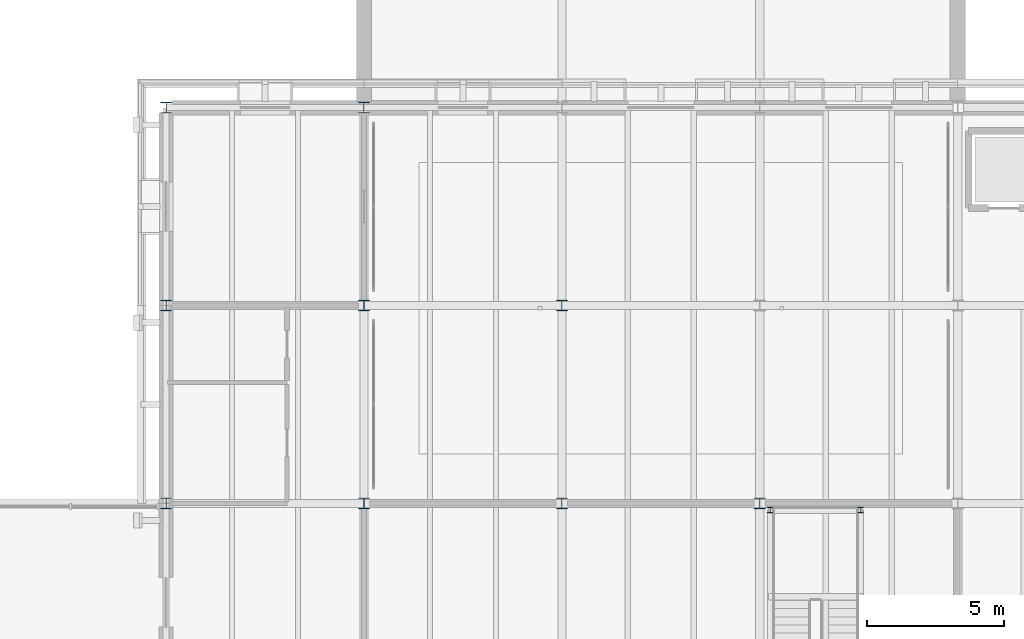
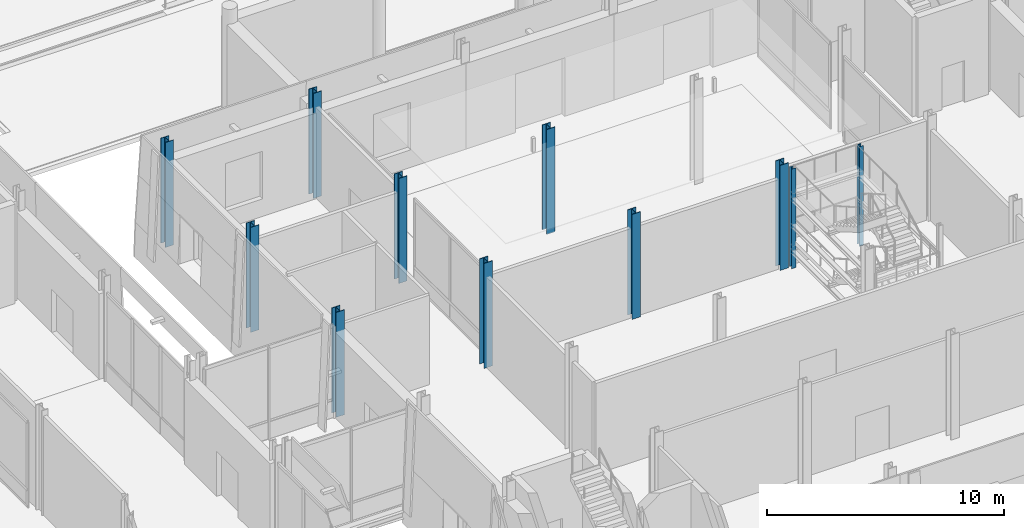
# One storey, part 13 of 120: 11 columns.
"""IFC4 building model written with IfcOpenShell, lengths in metres."""

from ifc_helpers import new_model, si_unit, direction, frame, origin, origin_2d, place, context, subcontext, project, spatial, i_section, extrude, material, material_profile, profile_set, type_object, element, save


model = new_model("IFC4")

# Units and contexts
model_context = context("Model", 3, precision=1e-05, world=origin(), true_north=direction((0.0, 1.0)))
body_context = subcontext(model_context, "Body", "Model", "MODEL_VIEW")
ifc_project = project(units=[si_unit("LENGTHUNIT", "METRE"), si_unit("AREAUNIT", "SQUARE_METRE"), si_unit("VOLUMEUNIT", "CUBIC_METRE"), si_unit("PLANEANGLEUNIT", "RADIAN"), si_unit("MASSUNIT", "GRAM", prefix="KILO")], contexts=[model_context])

# Site, building, storey
site_placement = place(None, origin())
site = spatial("IfcSite", under=ifc_project, at=site_placement, CompositionType="ELEMENT")
building_placement = place(site_placement, origin())
building = spatial("IfcBuilding", under=site, at=building_placement, Name="Narikvali Park Central Library", CompositionType="ELEMENT")
storey_placement = place(building_placement, origin())
storey = spatial("IfcBuildingStorey", under=building, at=storey_placement, Name="L00", CompositionType="ELEMENT", Elevation=0.0)

# Columns
ifc_material = material(Name="Steel S355", Category="steel")
ifc_material_profile_1 = material_profile(ifc_material, i_section(OverallWidth=0.404052734375, OverallDepth=0.406982421875, WebThickness=0.02001953125, FlangeThickness=0.031982421875, FilletRadius=0.014892578125, at=origin_2d()), Name="HD 400x347")
ifc_profile_set_1 = profile_set([ifc_material_profile_1], Name="Steel S355")
column_type_1 = type_object("IfcColumnType", Name="Rotunda Interior Column HD400x347", PredefinedType="COLUMN", material=ifc_profile_set_1)
for number, where, z_axis, x_axis, name in (
    (1, (72.0, 79.199951171875, 0.0), (0.0, 0.0, 1.0), (1.0, 0.0, 0.0), "V1 L00 Column (72.0,79.2)"),
    (2, (72.0, 86.39990234375, 0.0), (0.0, 0.0, 1.0), (1.0, 0.0, 0.0), "V1 L00 Column (72.0,86.4)"),
    (3, (79.199951171875, 79.199951171875, 0.0), (0.0, 0.0, 1.0), (1.0, 0.0, 0.0), "V1 L00 Column (79.2,79.2)"),
    (4, (79.199951171875, 86.39990234375, 0.0), (0.0, 0.0, 1.0), (1.0, 0.0, 0.0), "V1 L00 Column (79.2,86.4)"),
    (5, (86.39990234375, 79.199951171875, 0.0), (0.0, 0.0, 1.0), (1.0, 0.0, 0.0), "V1 L00 Column (86.4,79.2)"),
):
    element("IfcColumn", number, at=place(storey_placement, frame(where, z_axis=z_axis, x_axis=x_axis)), inside=storey, type_object=column_type_1, Name=name, PredefinedType="COLUMN", context=body_context, shape_type="SweptSolid", body=[
        extrude(i_section(OverallWidth=0.404052734375, OverallDepth=0.406982421875, WebThickness=0.02001953125, FlangeThickness=0.031982421875, FilletRadius=0.014892578125, at=origin_2d()), origin(), (0.0, 0.0, 1.0), 5.39990234375),
    ])
ifc_material_profile_2 = material_profile(ifc_material, i_section(OverallWidth=0.40087890625, OverallDepth=0.39892578125, WebThickness=0.0185546875, FlangeThickness=0.029052734375, FilletRadius=0.014892578125, at=origin_2d()), Name="HD 400x314")
ifc_profile_set_2 = profile_set([ifc_material_profile_2], Name="Steel S355")
column_type_2 = type_object("IfcColumnType", Name="Steel Column HD400x314", PredefinedType="COLUMN", material=ifc_profile_set_2)
for number, where, z_axis, x_axis, name in (
    (6, (64.800048828125, 79.199951171875, 0.0), (0.0, 0.0, 1.0), (1.0, 0.0, 0.0), "V1 L00 Column (64.8,79.2)"),
    (7, (64.800048828125, 86.39990234375, 0.0), (0.0, 0.0, 1.0), (1.0, 0.0, 0.0), "V1 L00 Column (64.8,86.4)"),
    (8, (64.800048828125, 93.60009765625, 0.0), (0.0, 0.0, 1.0), (1.0, 0.0, 0.0), "V1 L00 Column (64.8,93.6)"),
    (9, (72.0, 93.60009765625, 0.0), (0.0, 0.0, 1.0), (1.0, 0.0, 0.0), "V1 L00 Column (72.0,93.6)"),
):
    element("IfcColumn", number, at=place(storey_placement, frame(where, z_axis=z_axis, x_axis=x_axis)), inside=storey, type_object=column_type_2, Name=name, PredefinedType="COLUMN", context=body_context, shape_type="SweptSolid", body=[
        extrude(i_section(OverallWidth=0.40087890625, OverallDepth=0.39892578125, WebThickness=0.0185546875, FlangeThickness=0.029052734375, FilletRadius=0.014892578125, at=origin_2d()), origin(), (0.0, 0.0, 1.0), 5.39990234375),
    ])
ifc_material_profile_3 = material_profile(ifc_material, i_section(OverallWidth=0.199951171875, OverallDepth=0.199951171875, WebThickness=0.009033203125, FlangeThickness=0.014892578125, FilletRadius=0.01806640625, at=origin_2d()), Name="HEB 200")
ifc_profile_set_3 = profile_set([ifc_material_profile_3], Name="Steel S355")
column_type_3 = type_object("IfcColumnType", Name="Steel Column HEB200", PredefinedType="COLUMN", material=ifc_profile_set_3)
for number, where, z_axis, x_axis, name in (
    (10, (86.780029296875, 78.9599609375, 0.0), (0.0, 0.0, 1.0), (1.0, 0.0, 0.0), "ST-13 Support Post L00 NW"),
    (11, (90.070068359375, 78.9599609375, 0.0), (0.0, 0.0, 1.0), (1.0, 0.0, 0.0), "ST-13 Support Post L00 NE"),
):
    element("IfcColumn", number, at=place(storey_placement, frame(where, z_axis=z_axis, x_axis=x_axis)), inside=storey, type_object=column_type_3, Name=name, PredefinedType="COLUMN", context=body_context, shape_type="SweptSolid", body=[
        extrude(i_section(OverallWidth=0.199951171875, OverallDepth=0.199951171875, WebThickness=0.009033203125, FlangeThickness=0.014892578125, FilletRadius=0.01806640625, at=origin_2d()), origin(), (0.0, 0.0, 1.0), 5.1201171875),
    ])

save(model, "model.ifc")
